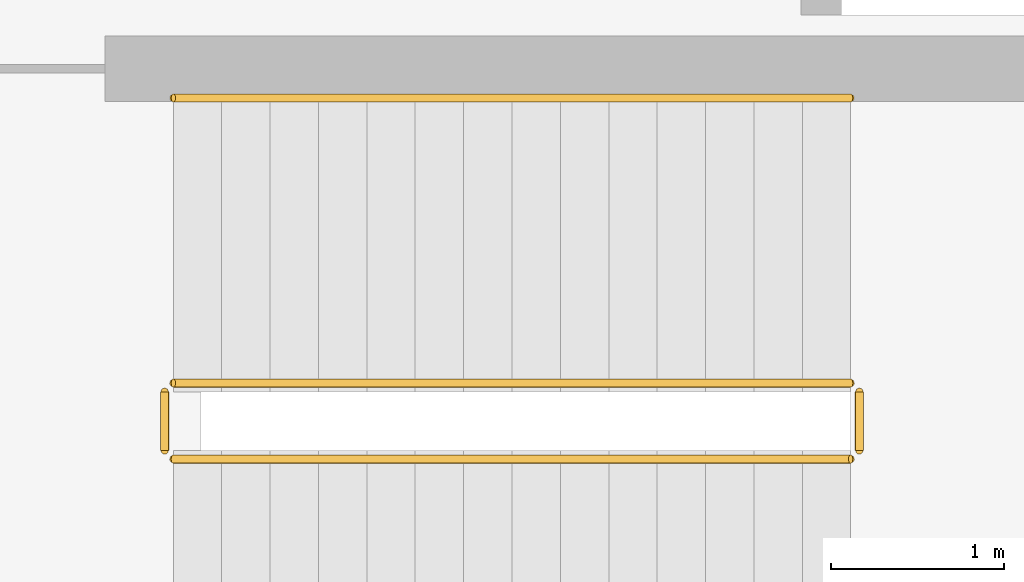
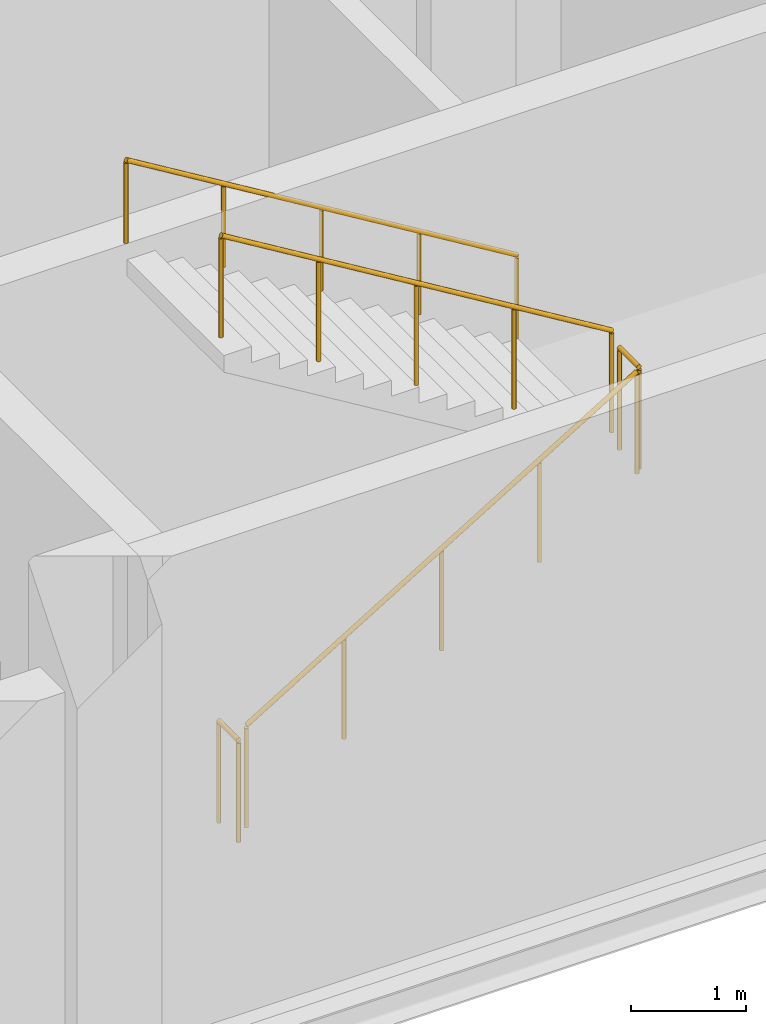
# One storey, part 62 of 66: 5 railings.
"""IFC4 building model written with IfcOpenShell, lengths in metres."""

from ifc_helpers import new_model, si_unit, direction, frame, origin, origin_2d, place, context, subcontext, project, spatial, circle, extrude, material, layer, layer_set, type_object, element, save


model = new_model("IFC4")

# Units and contexts
model_context = context("Model", 3, precision=1e-05, world=origin(), true_north=direction((0.0, 1.0)))
body_context = subcontext(model_context, "Body", "Model", "MODEL_VIEW")
ifc_project = project(units=[si_unit("LENGTHUNIT", "METRE"), si_unit("AREAUNIT", "SQUARE_METRE"), si_unit("VOLUMEUNIT", "CUBIC_METRE"), si_unit("PLANEANGLEUNIT", "RADIAN"), si_unit("MASSUNIT", "GRAM", prefix="KILO")], contexts=[model_context])

# Site, building, storey
site_placement = place(None, origin())
site = spatial("IfcSite", under=ifc_project, at=site_placement, CompositionType="ELEMENT")
building_placement = place(site_placement, origin())
building = spatial("IfcBuilding", under=site, at=building_placement, Name="Zulmaris Art Gallery", CompositionType="ELEMENT")
storey_placement = place(building_placement, frame((0.0, 0.0, 5.39990234375)))
storey = spatial("IfcBuildingStorey", under=building, at=storey_placement, Name="L01", CompositionType="ELEMENT", Elevation=5.39990234375)

# Railings
ifc_material_1 = material(Name="Steel S355J2", Category="steel")
ifc_layer_1 = layer(ifc_material_1, 0.050048828125)
ifc_layer_set_1 = layer_set([ifc_layer_1], Name="Steel S355J2")
railing_type_1 = type_object("IfcRailingType", Name="RAIL-STGRD", PredefinedType="GUARDRAIL", material=ifc_layer_set_1)
railing_1_placement = place(storey_placement, frame((144.300048828125, 15.25, 0.170166015625)))
element("IfcRailing", 1, at=railing_1_placement, inside=storey, type_object=railing_type_1, Name="L01 ST3 stair guard 1", PredefinedType="GUARDRAIL", context=body_context, shape_type="SweptSolid", body=[
    extrude(circle(Radius=0.02392578125, at=origin_2d()), frame((0.0, 0.0, 1.076171875), z_axis=(0.854794262968, 0.0, 0.518967020143), x_axis=(0.0, 1.0, 0.0)), (0.0, 0.0, 1.0), 4.585693359375),
    extrude(circle(Radius=0.02099609375, at=origin_2d()), origin(), (0.0, 0.0, 1.0), 1.052001953125),
    extrude(circle(Radius=0.02099609375, at=origin_2d()), frame((0.97998046875, 0.0, 0.594970703125)), (0.0, 0.0, 1.0), 1.052001953125),
    extrude(circle(Radius=0.02099609375, at=origin_2d()), frame((1.9599609375, 0.0, 1.18994140625)), (0.0, 0.0, 1.0), 1.052001953125),
    extrude(circle(Radius=0.02099609375, at=origin_2d()), frame((2.93994140625, 0.0, 1.784912109375)), (0.0, 0.0, 1.0), 1.052001953125),
    extrude(circle(Radius=0.02099609375, at=origin_2d()), frame((3.919921875, 0.0, 2.3798828125)), (0.0, 0.0, 1.0), 1.052001953125),
])
railing_2_placement = place(storey_placement, frame((148.27001953125, 15.300048828125, 2.550048828125)))
element("IfcRailing", 2, at=railing_2_placement, inside=storey, type_object=railing_type_1, Name="L01 ST3 stair guard 2", PredefinedType="GUARDRAIL", context=body_context, shape_type="SweptSolid", body=[
    extrude(circle(Radius=0.02392578125, at=origin_2d()), frame((0.0, 0.0, 1.076171875), z_axis=(0.0, 1.0, 0.0), x_axis=(-1.0, 0.0, 0.0)), (0.0, 0.0, 1.0), 0.33984375),
    extrude(circle(Radius=0.02099609375, at=origin_2d()), origin(), (0.0, 0.0, 1.0), 1.052001953125),
    extrude(circle(Radius=0.02099609375, at=origin_2d()), frame((0.0, 0.33984375, 0.0)), (0.0, 0.0, 1.0), 1.052001953125),
])
railing_3_placement = place(storey_placement, frame((148.219970703125, 15.68994140625, 2.72021484375)))
element("IfcRailing", 3, at=railing_3_placement, inside=storey, type_object=railing_type_1, Name="L01 ST3 stair guard 3", PredefinedType="GUARDRAIL", context=body_context, shape_type="SweptSolid", body=[
    extrude(circle(Radius=0.02392578125, at=origin_2d()), frame((0.0, 0.0, 1.076171875), z_axis=(-0.854794262968, 0.0, 0.518967020143), x_axis=(0.0, -1.0, 0.0)), (0.0, 0.0, 1.0), 4.585693359375),
    extrude(circle(Radius=0.02099609375, at=origin_2d()), origin(), (0.0, 0.0, 1.0), 1.052001953125),
    extrude(circle(Radius=0.02099609375, at=origin_2d()), frame((-0.97998046875, 0.0, 0.594970703125)), (0.0, 0.0, 1.0), 1.052001953125),
    extrude(circle(Radius=0.02099609375, at=origin_2d()), frame((-1.9599609375, 0.0, 1.18994140625)), (0.0, 0.0, 1.0), 1.052001953125),
    extrude(circle(Radius=0.02099609375, at=origin_2d()), frame((-2.93994140625, 0.0, 1.784912109375)), (0.0, 0.0, 1.0), 1.052001953125),
    extrude(circle(Radius=0.02099609375, at=origin_2d()), frame((-3.919921875, 0.0, 2.3798828125)), (0.0, 0.0, 1.0), 1.052001953125),
])
railing_4_placement = place(storey_placement, frame((144.25, 15.300048828125, 0.0)))
element("IfcRailing", 4, at=railing_4_placement, inside=storey, type_object=railing_type_1, Name="L01 ST3 stair guard 4", PredefinedType="GUARDRAIL", context=body_context, shape_type="SweptSolid", body=[
    extrude(circle(Radius=0.02392578125, at=origin_2d()), frame((0.0, 0.0, 1.076171875), z_axis=(0.0, 1.0, 0.0), x_axis=(-1.0, 0.0, 0.0)), (0.0, 0.0, 1.0), 0.33984375),
    extrude(circle(Radius=0.02099609375, at=origin_2d()), origin(), (0.0, 0.0, 1.0), 1.052001953125),
    extrude(circle(Radius=0.02099609375, at=origin_2d()), frame((0.0, 0.33984375, 0.0)), (0.0, 0.0, 1.0), 1.052001953125),
])
ifc_material_2 = material(Name="Brushed Bronze Handrail", Category="steel")
ifc_layer_2 = layer(ifc_material_2, 0.048095703125)
ifc_layer_set_2 = layer_set([ifc_layer_2], Name="Brushed Bronze Handrail")
railing_type_2 = type_object("IfcRailingType", Name="RAIL-STHND", PredefinedType="HANDRAIL", material=ifc_layer_set_2)
railing_5_placement = place(storey_placement, frame((148.219970703125, 17.340087890625, 2.72021484375)))
element("IfcRailing", 5, at=railing_5_placement, inside=storey, type_object=railing_type_2, Name="L01 ST3 stair handrail 2", PredefinedType="HANDRAIL", context=body_context, shape_type="SweptSolid", body=[
    extrude(circle(Radius=0.02392578125, at=origin_2d()), frame((0.0, 0.0, 0.8759765625), z_axis=(-0.854794262968, 0.0, 0.518967020143), x_axis=(0.0, -1.0, 0.0)), (0.0, 0.0, 1.0), 4.585693359375),
    extrude(circle(Radius=0.02099609375, at=origin_2d()), origin(), (0.0, 0.0, 1.0), 0.851806640625),
    extrude(circle(Radius=0.02099609375, at=origin_2d()), frame((-0.97998046875, 0.0, 0.594970703125)), (0.0, 0.0, 1.0), 0.851806640625),
    extrude(circle(Radius=0.02099609375, at=origin_2d()), frame((-1.9599609375, 0.0, 1.18994140625)), (0.0, 0.0, 1.0), 0.851806640625),
    extrude(circle(Radius=0.02099609375, at=origin_2d()), frame((-2.93994140625, 0.0, 1.784912109375)), (0.0, 0.0, 1.0), 0.851806640625),
    extrude(circle(Radius=0.02099609375, at=origin_2d()), frame((-3.919921875, 0.0, 2.3798828125)), (0.0, 0.0, 1.0), 0.851806640625),
])

save(model, "model.ifc")
